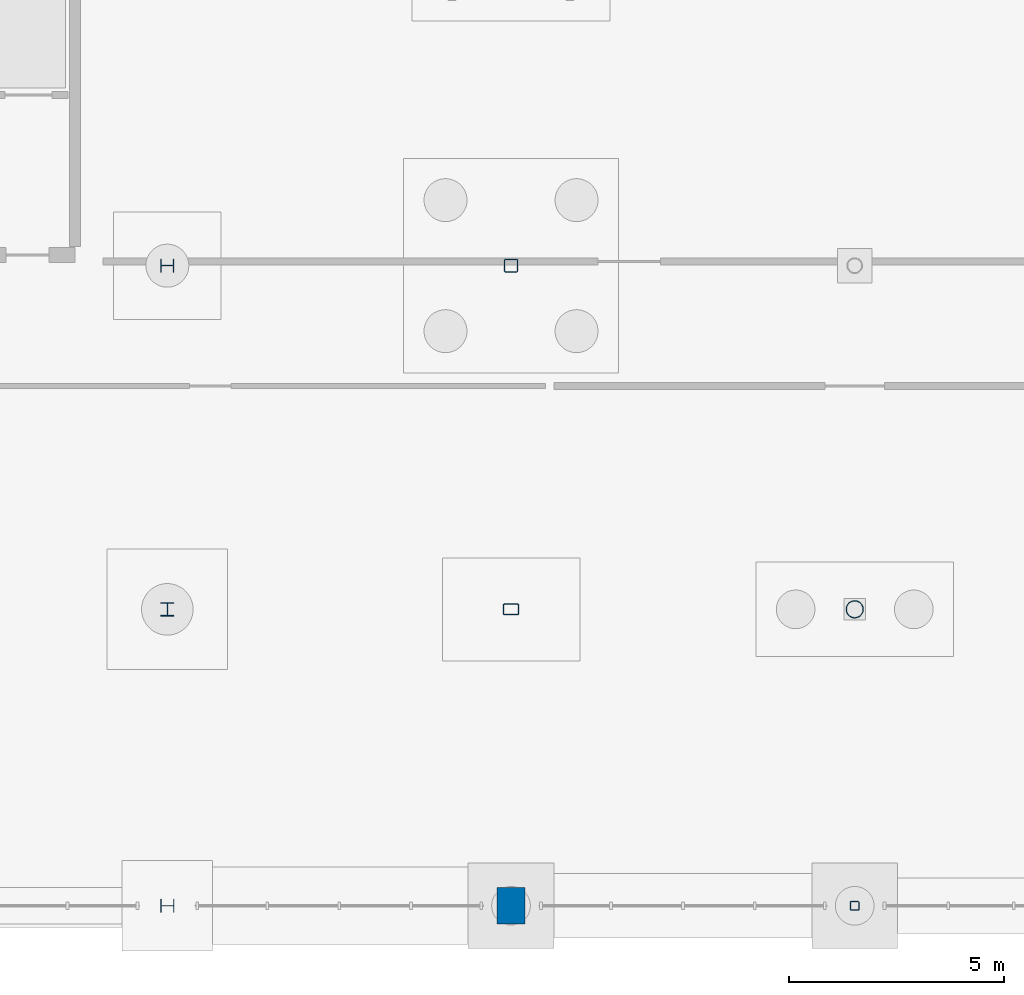
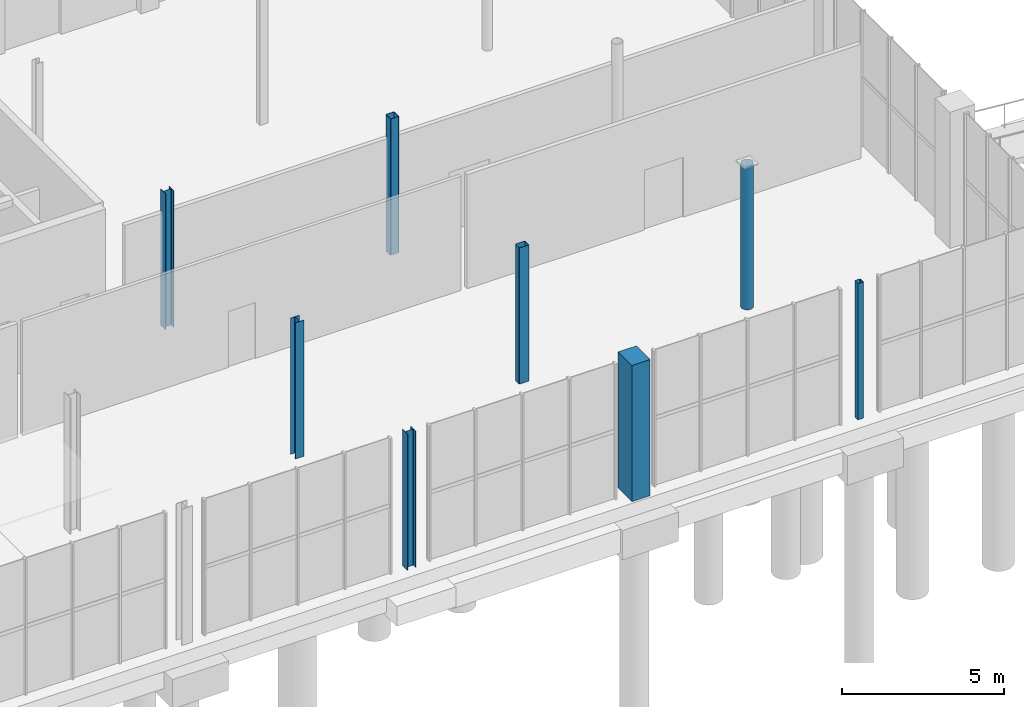
# One storey, part 27 of 87: 8 columns.
"""IFC4 building model written with IfcOpenShell, lengths in metres."""

from ifc_helpers import new_model, si_unit, direction, frame, origin, origin_2d, place, context, subcontext, project, spatial, rectangle, hollow_rectangle, hollow_circle, i_section, extrude, material, material_profile, profile_set, type_object, element, save


model = new_model("IFC4")

# Units and contexts
model_context = context("Model", 3, precision=1e-05, world=origin(), true_north=direction((0.0, 1.0)))
body_context = subcontext(model_context, "Body", "Model", "MODEL_VIEW")
ifc_project = project(units=[si_unit("LENGTHUNIT", "METRE"), si_unit("AREAUNIT", "SQUARE_METRE"), si_unit("VOLUMEUNIT", "CUBIC_METRE"), si_unit("PLANEANGLEUNIT", "RADIAN"), si_unit("MASSUNIT", "GRAM", prefix="KILO")], contexts=[model_context])

# Site, building, storey
site_placement = place(None, origin())
site = spatial("IfcSite", under=ifc_project, at=site_placement, CompositionType="ELEMENT")
building_placement = place(site_placement, origin())
building = spatial("IfcBuilding", under=site, at=building_placement, Name="Brisemont Oceanarium", CompositionType="ELEMENT")
storey_placement = place(building_placement, origin())
storey = spatial("IfcBuildingStorey", under=building, at=storey_placement, Name="L00", CompositionType="ELEMENT", Elevation=0.0)

# Columns
ifc_material_1 = material(Name="Structural Steel ASTM A500 Gr.C", Category="steel")
ifc_material_profile_1 = material_profile(ifc_material_1, hollow_circle(Radius=0.202880859375, WallThickness=0.01171875, at=origin_2d()), Name="HSS16.000X0.500")
ifc_profile_set_1 = profile_set([ifc_material_profile_1], Name="Structural Steel ASTM A500 Gr.C")
column_type_1 = type_object("IfcColumnType", Name="COL-CHS16", PredefinedType="COLUMN", material=ifc_profile_set_1)
column_1_placement = place(storey_placement, frame((152.0, 8.0, 0.0), z_axis=(0.0, 0.0, 1.0), x_axis=(1.0, 0.0, 0.0)))
element("IfcColumn", 1, at=column_1_placement, inside=storey, type_object=column_type_1, Name="V3 L00 column (5,1)", PredefinedType="COLUMN", context=body_context, shape_type="SweptSolid", body=[
    extrude(hollow_circle(Radius=0.202880859375, WallThickness=0.01171875, at=origin_2d()), origin(), (0.0, 0.0, 1.0), 5.39990234375),
])
ifc_material_2 = material(Name="Structural Steel ASTM A500 Gr.C", Category="steel")
ifc_material_profile_2 = material_profile(ifc_material_2, hollow_rectangle(XDim=0.304931640625, YDim=0.304931640625, WallThickness=0.01171875, InnerFilletRadius=0.01220703125, OuterFilletRadius=0.02392578125, at=origin_2d()), Name="HSS12X12X1/2")
ifc_profile_set_2 = profile_set([ifc_material_profile_2], Name="Structural Steel ASTM A500 Gr.C")
column_type_2 = type_object("IfcColumnType", Name="COL-HSS12X12", PredefinedType="COLUMN", material=ifc_profile_set_2)
column_2_placement = place(storey_placement, frame((144.0, 16.0, 0.0), z_axis=(0.0, 0.0, 1.0), x_axis=(1.0, 0.0, 0.0)))
element("IfcColumn", 2, at=column_2_placement, inside=storey, type_object=column_type_2, Name="V3 L00 column (4,2)", PredefinedType="COLUMN", context=body_context, shape_type="SweptSolid", body=[
    extrude(hollow_rectangle(XDim=0.304931640625, YDim=0.304931640625, WallThickness=0.01171875, InnerFilletRadius=0.01220703125, OuterFilletRadius=0.02392578125, at=origin_2d()), origin(), (0.0, 0.0, 1.0), 5.1201171875),
])
ifc_material_3 = material(Name="Structural Steel ASTM A500 Gr.C", Category="steel")
ifc_material_profile_3 = material_profile(ifc_material_3, hollow_rectangle(XDim=0.25390625, YDim=0.35595703125, WallThickness=0.01171875, InnerFilletRadius=0.01220703125, OuterFilletRadius=0.02392578125, at=origin_2d()), Name="HSS14X10X1/2")
ifc_profile_set_3 = profile_set([ifc_material_profile_3], Name="Structural Steel ASTM A500 Gr.C")
column_type_3 = type_object("IfcColumnType", Name="COL-HSS14X10", PredefinedType="COLUMN", material=ifc_profile_set_3)
column_3_placement = place(storey_placement, frame((144.0, 8.0, 0.0), z_axis=(0.0, 0.0, 1.0), x_axis=(0.0, 1.0, 0.0)))
element("IfcColumn", 3, at=column_3_placement, inside=storey, type_object=column_type_3, Name="V3 L00 column (4,1)", PredefinedType="COLUMN", context=body_context, shape_type="SweptSolid", body=[
    extrude(hollow_rectangle(XDim=0.25390625, YDim=0.35595703125, WallThickness=0.01171875, InnerFilletRadius=0.01220703125, OuterFilletRadius=0.02392578125, at=origin_2d()), origin(), (0.0, 0.0, 1.0), 5.1201171875),
])
ifc_material_4 = material(Name="Structural Steel ASTM A500 Gr.C", Category="steel")
ifc_material_profile_4 = material_profile(ifc_material_4, hollow_rectangle(XDim=0.202880859375, YDim=0.202880859375, WallThickness=0.0087890625, InnerFilletRadius=0.009033203125, OuterFilletRadius=0.01806640625, at=origin_2d()), Name="HSS8X8X3/8")
ifc_profile_set_4 = profile_set([ifc_material_profile_4], Name="Structural Steel ASTM A500 Gr.C")
column_type_4 = type_object("IfcColumnType", Name="COL-HSS8X8", PredefinedType="COLUMN", material=ifc_profile_set_4)
column_4_placement = place(storey_placement, frame((152.0, 1.10009765625, 0.0), z_axis=(0.0, 0.0, 1.0), x_axis=(0.0, 1.0, 0.0)))
element("IfcColumn", 4, at=column_4_placement, inside=storey, type_object=column_type_4, Name="V3 L00 column (5,0)", PredefinedType="COLUMN", context=body_context, shape_type="SweptSolid", body=[
    extrude(hollow_rectangle(XDim=0.202880859375, YDim=0.202880859375, WallThickness=0.0087890625, InnerFilletRadius=0.009033203125, OuterFilletRadius=0.01806640625, at=origin_2d()), origin(), (0.0, 0.0, 1.0), 5.1201171875),
])
ifc_material_5 = material(Name="Structural Steel ASTM A992 Gr.50", Category="steel")
ifc_material_profile_5 = material_profile(ifc_material_5, i_section(OverallWidth=0.304931640625, OverallDepth=0.306884765625, WebThickness=0.010009765625, FlangeThickness=0.015380859375, FilletRadius=0.012939453125, at=origin_2d()), Name="W12X65")
ifc_profile_set_5 = profile_set([ifc_material_profile_5], Name="Structural Steel ASTM A992 Gr.50")
column_type_5 = type_object("IfcColumnType", Name="COL-W12X65", PredefinedType="COLUMN", material=ifc_profile_set_5)
column_5_placement = place(storey_placement, frame((136.0, 16.0, 0.0), z_axis=(0.0, 0.0, 1.0), x_axis=(0.0, 1.0, 0.0)))
element("IfcColumn", 5, at=column_5_placement, inside=storey, type_object=column_type_5, Name="V3 L00 column (3,2)", PredefinedType="COLUMN", context=body_context, shape_type="SweptSolid", body=[
    extrude(i_section(OverallWidth=0.304931640625, OverallDepth=0.306884765625, WebThickness=0.010009765625, FlangeThickness=0.015380859375, FilletRadius=0.012939453125, at=origin_2d()), origin(), (0.0, 0.0, 1.0), 5.1201171875),
])
ifc_material_6 = material(Name="Structural Steel ASTM A992 Gr.50", Category="steel")
ifc_material_profile_6 = material_profile(ifc_material_6, i_section(OverallWidth=0.305908203125, OverallDepth=0.31103515625, WebThickness=0.010986328125, FlangeThickness=0.01708984375, FilletRadius=0.012939453125, at=origin_2d()), Name="W12X72")
ifc_profile_set_6 = profile_set([ifc_material_profile_6], Name="Structural Steel ASTM A992 Gr.50")
column_type_6 = type_object("IfcColumnType", Name="COL-W12X72", PredefinedType="COLUMN", material=ifc_profile_set_6)
column_6_placement = place(storey_placement, frame((136.0, 8.0, 0.0), z_axis=(0.0, 0.0, 1.0), x_axis=(1.0, 0.0, 0.0)))
element("IfcColumn", 6, at=column_6_placement, inside=storey, type_object=column_type_6, Name="V3 L00 column (3,1)", PredefinedType="COLUMN", context=body_context, shape_type="SweptSolid", body=[
    extrude(i_section(OverallWidth=0.305908203125, OverallDepth=0.31103515625, WebThickness=0.010986328125, FlangeThickness=0.01708984375, FilletRadius=0.012939453125, at=origin_2d()), origin(), (0.0, 0.0, 1.0), 5.1201171875),
])
ifc_material_7 = material(Name="Structural Steel ASTM A992 Gr.50", Category="steel")
ifc_material_profile_7 = material_profile(ifc_material_7, i_section(OverallWidth=0.306884765625, OverallDepth=0.31494140625, WebThickness=0.011962890625, FlangeThickness=0.018798828125, FilletRadius=0.012939453125, at=origin_2d()), Name="W12X79")
ifc_profile_set_7 = profile_set([ifc_material_profile_7], Name="Structural Steel ASTM A992 Gr.50")
column_type_7 = type_object("IfcColumnType", Name="COL-W12X79", PredefinedType="COLUMN", material=ifc_profile_set_7)
column_7_placement = place(storey_placement, frame((136.0, 1.10009765625, 0.0), z_axis=(0.0, 0.0, 1.0), x_axis=(0.0, 1.0, 0.0)))
element("IfcColumn", 7, at=column_7_placement, inside=storey, type_object=column_type_7, Name="V3 L00 column (3,0)", PredefinedType="COLUMN", context=body_context, shape_type="SweptSolid", body=[
    extrude(i_section(OverallWidth=0.306884765625, OverallDepth=0.31494140625, WebThickness=0.011962890625, FlangeThickness=0.018798828125, FilletRadius=0.012939453125, at=origin_2d()), origin(), (0.0, 0.0, 1.0), 5.1201171875),
])
ifc_material_8 = material(Name="Precast Concrete C40/50", Category="concrete")
ifc_material_profile_8 = material_profile(ifc_material_8, rectangle(XDim=0.64990234375, YDim=0.85009765625, at=origin_2d()), Name="RC-PIL-650X850")
ifc_profile_set_8 = profile_set([ifc_material_profile_8], Name="Precast Concrete C40/50")
column_type_8 = type_object("IfcColumnType", Name="PIL-RC650X850", PredefinedType="PILASTER", material=ifc_profile_set_8)
column_8_placement = place(storey_placement, frame((144.0, 1.10009765625, 0.0), z_axis=(0.0, 0.0, 1.0), x_axis=(1.0, 0.0, 0.0)))
element("IfcColumn", 8, at=column_8_placement, inside=storey, type_object=column_type_8, Name="V3 L00 column (4,0)", PredefinedType="PILASTER", context=body_context, shape_type="SweptSolid", body=[
    extrude(rectangle(XDim=0.64990234375, YDim=0.85009765625, at=origin_2d()), origin(), (0.0, 0.0, 1.0), 5.1201171875),
])

save(model, "model.ifc")
